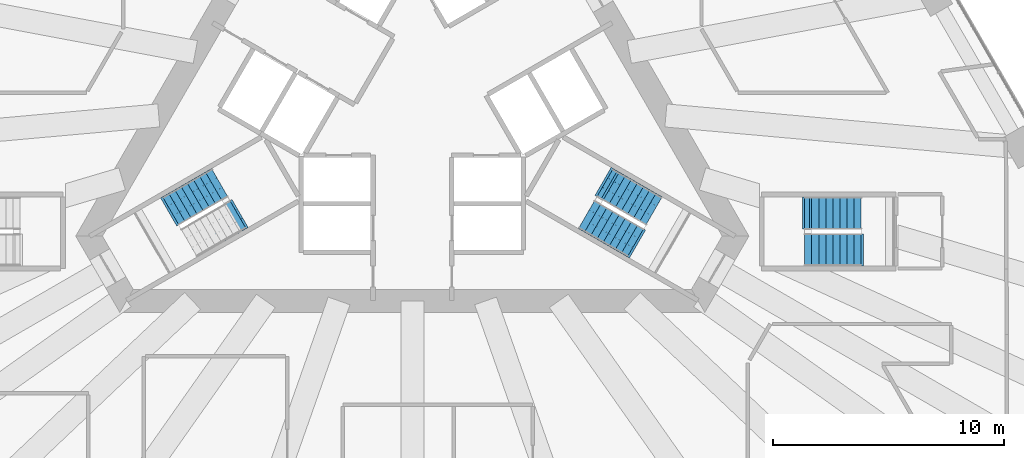
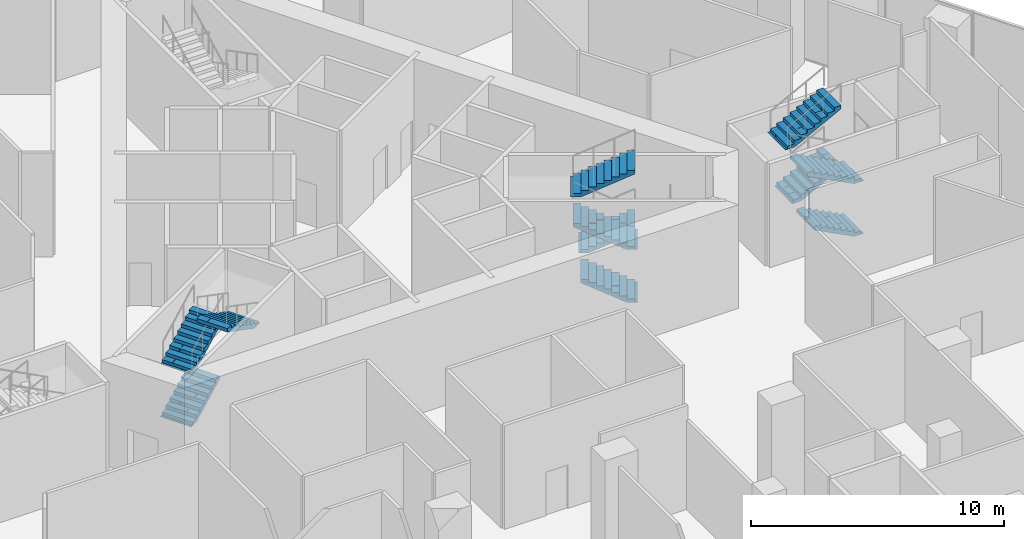
# One storey, part 26 of 29: 11 stair flights, 3 elements without a shape of their own.
"""IFC4 building model written with IfcOpenShell, lengths in metres."""

from ifc_helpers import new_model, si_unit, direction, frame, origin, place, context, subcontext, project, spatial, polyline, outline, extrude, material, type_object, element, aggregate, save


model = new_model("IFC4")

# Units and contexts
model_context = context("Model", 3, precision=1e-05, world=origin(), true_north=direction((0.0, 1.0)))
body_context = subcontext(model_context, "Body", "Model", "MODEL_VIEW")
ifc_project = project(units=[si_unit("LENGTHUNIT", "METRE"), si_unit("AREAUNIT", "SQUARE_METRE"), si_unit("VOLUMEUNIT", "CUBIC_METRE"), si_unit("PLANEANGLEUNIT", "RADIAN"), si_unit("MASSUNIT", "GRAM", prefix="KILO")], contexts=[model_context])

# Site, building, storey
site_placement = place(None, origin())
site = spatial("IfcSite", under=ifc_project, at=site_placement, CompositionType="ELEMENT")
building_placement = place(site_placement, origin())
building = spatial("IfcBuilding", under=site, at=building_placement, Name="Triada Interchange Tower", CompositionType="ELEMENT")
storey_placement = place(building_placement, frame((0.0, 0.0, 19.89990234375)))
storey = spatial("IfcBuildingStorey", under=building, at=storey_placement, Name="L03", CompositionType="ELEMENT", Elevation=19.89990234375)

# Stair, stair flights
ifc_material = material(Name="Concrete C35/45", Category="concrete")
stair_type = type_object("IfcStairType", Name="HALF TURN STAIR 1400", PredefinedType="HALF_TURN_STAIR", material=ifc_material)
stair_1_placement = place(storey_placement, origin())
stair_1 = element("IfcStair", 1, at=stair_1_placement, inside=storey, type_object=stair_type, Name="Exit stair S03-2", PredefinedType="HALF_TURN_STAIR")
stair_flight_type = type_object("IfcStairFlightType", Name="STRAIGHT STAIR FLIGHT 1400", PredefinedType="STRAIGHT", material=ifc_material)
stair_flight_1_placement = place(storey_placement, frame((-10.446044921875, -5.10693359375, 0.0), z_axis=(0.0, 0.0, 1.0), x_axis=(0.866025403784, 0.5, 0.0)))
stair_flight_1 = element("IfcStairFlight", 2, at=stair_flight_1_placement, type_object=stair_flight_type, Name="S03-2 flight 1", NumberOfRisers=8, NumberOfTreads=7, PredefinedType="STRAIGHT", RiserHeight=0.15882, TreadLength=0.305, context=body_context, shape_type="SweptSolid", body=[
    extrude(outline(polyline([(-0.10009765625, 0.0), (-0.10009765625, 0.02001953125), (0.0, 0.02001953125), (0.0, 0.158935546875), (0.304931640625, 0.158935546875), (0.304931640625, 0.317626953125), (0.610107421875, 0.317626953125), (0.610107421875, 0.4765625), (0.9150390625, 0.4765625), (0.9150390625, 0.63525390625), (1.219970703125, 0.63525390625), (1.219970703125, 0.794189453125), (1.52490234375, 0.794189453125), (1.52490234375, 0.952880859375), (1.830078125, 0.952880859375), (1.830078125, 1.11181640625), (2.135009765625, 1.11181640625), (2.138916015625, 1.11181640625), (2.138916015625, 1.2705078125), (2.138916015625, 0.942626953125), (0.324462890625, 0.0), (-0.10009765625, 0.0)])), frame((0.0, 0.699951171875, 0.0), z_axis=(0.0, -1.0, 0.0), x_axis=(1.0, 0.0, 0.0)), (0.0, 0.0, 1.0), 0.46533203125),
    extrude(outline(polyline([(-0.10009765625, 0.0), (-0.10009765625, 0.02001953125), (0.0, 0.02001953125), (0.0, 0.158935546875), (0.304931640625, 0.158935546875), (0.304931640625, 0.317626953125), (0.610107421875, 0.317626953125), (0.610107421875, 0.4765625), (0.9150390625, 0.4765625), (0.9150390625, 0.63525390625), (1.219970703125, 0.63525390625), (1.219970703125, 0.794189453125), (1.52490234375, 0.794189453125), (1.52490234375, 0.952880859375), (1.830078125, 0.952880859375), (1.830078125, 1.11181640625), (2.135009765625, 1.11181640625), (2.138916015625, 1.11181640625), (2.138916015625, 1.2705078125), (2.138916015625, 0.942626953125), (0.324462890625, 0.0), (-0.10009765625, 0.0)])), frame((0.0, 0.232666015625, 0.0), z_axis=(0.0, -1.0, 0.0), x_axis=(1.0, 0.0, 0.0)), (0.0, 0.0, 1.0), 0.46533203125),
    extrude(outline(polyline([(-0.10009765625, 0.0), (-0.10009765625, 0.02001953125), (0.0, 0.02001953125), (0.0, 0.158935546875), (0.304931640625, 0.158935546875), (0.304931640625, 0.317626953125), (0.610107421875, 0.317626953125), (0.610107421875, 0.4765625), (0.9150390625, 0.4765625), (0.9150390625, 0.63525390625), (1.219970703125, 0.63525390625), (1.219970703125, 0.794189453125), (1.52490234375, 0.794189453125), (1.52490234375, 0.952880859375), (1.830078125, 0.952880859375), (1.830078125, 1.11181640625), (2.135009765625, 1.11181640625), (2.138916015625, 1.11181640625), (2.138916015625, 1.2705078125), (2.138916015625, 0.942626953125), (0.324462890625, 0.0), (-0.10009765625, 0.0)])), frame((0.0, -0.234619140625, 0.0), z_axis=(0.0, -1.0, 0.0), x_axis=(1.0, 0.0, 0.0)), (0.0, 0.0, 1.0), 0.46533203125),
])
stair_flight_2_placement = place(storey_placement, frame((-10.446044921875, -5.10693359375, 2.541259765625), z_axis=(0.0, 0.0, 1.0), x_axis=(0.866025403784, 0.5, 0.0)))
stair_flight_2 = element("IfcStairFlight", 3, at=stair_flight_2_placement, type_object=stair_flight_type, Name="S03-2 flight 3", NumberOfRisers=9, NumberOfTreads=8, PredefinedType="STRAIGHT", RiserHeight=0.15882, TreadLength=0.305, context=body_context, shape_type="SweptSolid", body=[
    extrude(outline(polyline([(-0.10009765625, 0.0), (-0.10009765625, 0.02001953125), (0.0, 0.02001953125), (0.0, 0.158935546875), (0.304931640625, 0.158935546875), (0.304931640625, 0.317626953125), (0.610107421875, 0.317626953125), (0.610107421875, 0.4765625), (0.9150390625, 0.4765625), (0.9150390625, 0.63525390625), (1.219970703125, 0.63525390625), (1.219970703125, 0.794189453125), (1.52490234375, 0.794189453125), (1.52490234375, 0.952880859375), (1.830078125, 0.952880859375), (1.830078125, 1.11181640625), (2.135009765625, 1.11181640625), (2.135009765625, 1.2705078125), (2.43994140625, 1.2705078125), (2.444091796875, 1.2705078125), (2.444091796875, 1.429443359375), (2.444091796875, 1.1015625), (0.324462890625, 0.0), (-0.10009765625, 0.0)])), frame((0.0, 0.699951171875, 0.0), z_axis=(0.0, -1.0, 0.0), x_axis=(1.0, 0.0, 0.0)), (0.0, 0.0, 1.0), 0.46533203125),
    extrude(outline(polyline([(-0.10009765625, 0.0), (-0.10009765625, 0.02001953125), (0.0, 0.02001953125), (0.0, 0.158935546875), (0.304931640625, 0.158935546875), (0.304931640625, 0.317626953125), (0.610107421875, 0.317626953125), (0.610107421875, 0.4765625), (0.9150390625, 0.4765625), (0.9150390625, 0.63525390625), (1.219970703125, 0.63525390625), (1.219970703125, 0.794189453125), (1.52490234375, 0.794189453125), (1.52490234375, 0.952880859375), (1.830078125, 0.952880859375), (1.830078125, 1.11181640625), (2.135009765625, 1.11181640625), (2.135009765625, 1.2705078125), (2.43994140625, 1.2705078125), (2.444091796875, 1.2705078125), (2.444091796875, 1.429443359375), (2.444091796875, 1.1015625), (0.324462890625, 0.0), (-0.10009765625, 0.0)])), frame((0.0, 0.232666015625, 0.0), z_axis=(0.0, -1.0, 0.0), x_axis=(1.0, 0.0, 0.0)), (0.0, 0.0, 1.0), 0.46533203125),
    extrude(outline(polyline([(-0.10009765625, 0.0), (-0.10009765625, 0.02001953125), (0.0, 0.02001953125), (0.0, 0.158935546875), (0.304931640625, 0.158935546875), (0.304931640625, 0.317626953125), (0.610107421875, 0.317626953125), (0.610107421875, 0.4765625), (0.9150390625, 0.4765625), (0.9150390625, 0.63525390625), (1.219970703125, 0.63525390625), (1.219970703125, 0.794189453125), (1.52490234375, 0.794189453125), (1.52490234375, 0.952880859375), (1.830078125, 0.952880859375), (1.830078125, 1.11181640625), (2.135009765625, 1.11181640625), (2.135009765625, 1.2705078125), (2.43994140625, 1.2705078125), (2.444091796875, 1.2705078125), (2.444091796875, 1.429443359375), (2.444091796875, 1.1015625), (0.324462890625, 0.0), (-0.10009765625, 0.0)])), frame((0.0, -0.234619140625, 0.0), z_axis=(0.0, -1.0, 0.0), x_axis=(1.0, 0.0, 0.0)), (0.0, 0.0, 1.0), 0.46533203125),
])
stair_flight_3_placement = place(storey_placement, frame((-7.532958984375, -5.27294921875, 3.970703125), z_axis=(0.0, 0.0, 1.0), x_axis=(-0.866025403784, -0.5, 0.0)))
stair_flight_3 = element("IfcStairFlight", 4, at=stair_flight_3_placement, type_object=stair_flight_type, Name="S03-2 flight 4", NumberOfRisers=9, NumberOfTreads=8, PredefinedType="STRAIGHT", RiserHeight=0.15882, TreadLength=0.305, context=body_context, shape_type="SweptSolid", body=[
    extrude(outline(polyline([(-0.10009765625, 0.0), (-0.10009765625, 0.02001953125), (0.0, 0.02001953125), (0.0, 0.158935546875), (0.304931640625, 0.158935546875), (0.304931640625, 0.317626953125), (0.610107421875, 0.317626953125), (0.610107421875, 0.4765625), (0.9150390625, 0.4765625), (0.9150390625, 0.63525390625), (1.219970703125, 0.63525390625), (1.219970703125, 0.794189453125), (1.52490234375, 0.794189453125), (1.52490234375, 0.952880859375), (1.830078125, 0.952880859375), (1.830078125, 1.11181640625), (2.135009765625, 1.11181640625), (2.135009765625, 1.2705078125), (2.43994140625, 1.2705078125), (2.444091796875, 1.2705078125), (2.444091796875, 1.429443359375), (2.444091796875, 1.1015625), (0.324462890625, 0.0), (-0.10009765625, 0.0)])), frame((0.0, 0.699951171875, 0.0), z_axis=(0.0, -1.0, 0.0), x_axis=(1.0, 0.0, 0.0)), (0.0, 0.0, 1.0), 0.46533203125),
    extrude(outline(polyline([(-0.10009765625, 0.0), (-0.10009765625, 0.02001953125), (0.0, 0.02001953125), (0.0, 0.158935546875), (0.304931640625, 0.158935546875), (0.304931640625, 0.317626953125), (0.610107421875, 0.317626953125), (0.610107421875, 0.4765625), (0.9150390625, 0.4765625), (0.9150390625, 0.63525390625), (1.219970703125, 0.63525390625), (1.219970703125, 0.794189453125), (1.52490234375, 0.794189453125), (1.52490234375, 0.952880859375), (1.830078125, 0.952880859375), (1.830078125, 1.11181640625), (2.135009765625, 1.11181640625), (2.135009765625, 1.2705078125), (2.43994140625, 1.2705078125), (2.444091796875, 1.2705078125), (2.444091796875, 1.429443359375), (2.444091796875, 1.1015625), (0.324462890625, 0.0), (-0.10009765625, 0.0)])), frame((0.0, 0.232666015625, 0.0), z_axis=(0.0, -1.0, 0.0), x_axis=(1.0, 0.0, 0.0)), (0.0, 0.0, 1.0), 0.46533203125),
    extrude(outline(polyline([(-0.10009765625, 0.0), (-0.10009765625, 0.02001953125), (0.0, 0.02001953125), (0.0, 0.158935546875), (0.304931640625, 0.158935546875), (0.304931640625, 0.317626953125), (0.610107421875, 0.317626953125), (0.610107421875, 0.4765625), (0.9150390625, 0.4765625), (0.9150390625, 0.63525390625), (1.219970703125, 0.63525390625), (1.219970703125, 0.794189453125), (1.52490234375, 0.794189453125), (1.52490234375, 0.952880859375), (1.830078125, 0.952880859375), (1.830078125, 1.11181640625), (2.135009765625, 1.11181640625), (2.135009765625, 1.2705078125), (2.43994140625, 1.2705078125), (2.444091796875, 1.2705078125), (2.444091796875, 1.429443359375), (2.444091796875, 1.1015625), (0.324462890625, 0.0), (-0.10009765625, 0.0)])), frame((0.0, -0.234619140625, 0.0), z_axis=(0.0, -1.0, 0.0), x_axis=(1.0, 0.0, 0.0)), (0.0, 0.0, 1.0), 0.46533203125),
])
aggregate(stair_1, [stair_flight_1, stair_flight_2, stair_flight_3])

stair_2_placement = place(storey_placement, origin())
stair_2 = element("IfcStair", 5, at=stair_2_placement, inside=storey, type_object=stair_type, Name="Exit stair S03-3", PredefinedType="HALF_TURN_STAIR")
stair_flight_4_placement = place(storey_placement, frame((9.64599609375, -6.492919921875, 0.0), z_axis=(0.0, 0.0, 1.0), x_axis=(-0.866025403784, 0.5, 0.0)))
stair_flight_4 = element("IfcStairFlight", 6, at=stair_flight_4_placement, type_object=stair_flight_type, Name="S03-3 flight 1", NumberOfRisers=8, NumberOfTreads=7, PredefinedType="STRAIGHT", RiserHeight=0.15882, TreadLength=0.305, context=body_context, shape_type="SweptSolid", body=[
    extrude(outline(polyline([(-0.10009765625, 0.0), (-0.10009765625, 0.02001953125), (0.0, 0.02001953125), (0.0, 0.158935546875), (0.304931640625, 0.158935546875), (0.304931640625, 0.317626953125), (0.610107421875, 0.317626953125), (0.610107421875, 0.4765625), (0.9150390625, 0.4765625), (0.9150390625, 0.63525390625), (1.219970703125, 0.63525390625), (1.219970703125, 0.794189453125), (1.52490234375, 0.794189453125), (1.52490234375, 0.952880859375), (1.830078125, 0.952880859375), (1.830078125, 1.11181640625), (2.135009765625, 1.11181640625), (2.138916015625, 1.11181640625), (2.138916015625, 1.2705078125), (2.138916015625, 0.942626953125), (0.324462890625, 0.0), (-0.10009765625, 0.0)])), frame((0.0, 0.699951171875, 0.0), z_axis=(0.0, -1.0, 0.0), x_axis=(1.0, 0.0, 0.0)), (0.0, 0.0, 1.0), 0.46533203125),
    extrude(outline(polyline([(-0.10009765625, 0.0), (-0.10009765625, 0.02001953125), (0.0, 0.02001953125), (0.0, 0.158935546875), (0.304931640625, 0.158935546875), (0.304931640625, 0.317626953125), (0.610107421875, 0.317626953125), (0.610107421875, 0.4765625), (0.9150390625, 0.4765625), (0.9150390625, 0.63525390625), (1.219970703125, 0.63525390625), (1.219970703125, 0.794189453125), (1.52490234375, 0.794189453125), (1.52490234375, 0.952880859375), (1.830078125, 0.952880859375), (1.830078125, 1.11181640625), (2.135009765625, 1.11181640625), (2.138916015625, 1.11181640625), (2.138916015625, 1.2705078125), (2.138916015625, 0.942626953125), (0.324462890625, 0.0), (-0.10009765625, 0.0)])), frame((0.0, 0.232666015625, 0.0), z_axis=(0.0, -1.0, 0.0), x_axis=(1.0, 0.0, 0.0)), (0.0, 0.0, 1.0), 0.46533203125),
    extrude(outline(polyline([(-0.10009765625, 0.0), (-0.10009765625, 0.02001953125), (0.0, 0.02001953125), (0.0, 0.158935546875), (0.304931640625, 0.158935546875), (0.304931640625, 0.317626953125), (0.610107421875, 0.317626953125), (0.610107421875, 0.4765625), (0.9150390625, 0.4765625), (0.9150390625, 0.63525390625), (1.219970703125, 0.63525390625), (1.219970703125, 0.794189453125), (1.52490234375, 0.794189453125), (1.52490234375, 0.952880859375), (1.830078125, 0.952880859375), (1.830078125, 1.11181640625), (2.135009765625, 1.11181640625), (2.138916015625, 1.11181640625), (2.138916015625, 1.2705078125), (2.138916015625, 0.942626953125), (0.324462890625, 0.0), (-0.10009765625, 0.0)])), frame((0.0, -0.234619140625, 0.0), z_axis=(0.0, -1.0, 0.0), x_axis=(1.0, 0.0, 0.0)), (0.0, 0.0, 1.0), 0.46533203125),
])
stair_flight_5_placement = place(storey_placement, frame((8.596923828125, -4.0400390625, 1.270751953125), z_axis=(0.0, 0.0, 1.0), x_axis=(0.866025403784, -0.5, 0.0)))
stair_flight_5 = element("IfcStairFlight", 7, at=stair_flight_5_placement, type_object=stair_flight_type, Name="S03-3 flight 2", NumberOfRisers=8, NumberOfTreads=7, PredefinedType="STRAIGHT", RiserHeight=0.15882, TreadLength=0.305, context=body_context, shape_type="SweptSolid", body=[
    extrude(outline(polyline([(-0.10009765625, 0.0), (-0.10009765625, 0.02001953125), (0.0, 0.02001953125), (0.0, 0.158935546875), (0.304931640625, 0.158935546875), (0.304931640625, 0.317626953125), (0.610107421875, 0.317626953125), (0.610107421875, 0.4765625), (0.9150390625, 0.4765625), (0.9150390625, 0.63525390625), (1.219970703125, 0.63525390625), (1.219970703125, 0.794189453125), (1.52490234375, 0.794189453125), (1.52490234375, 0.952880859375), (1.830078125, 0.952880859375), (1.830078125, 1.11181640625), (2.135009765625, 1.11181640625), (2.138916015625, 1.11181640625), (2.138916015625, 1.2705078125), (2.138916015625, 0.942626953125), (0.324462890625, 0.0), (-0.10009765625, 0.0)])), frame((0.0, 0.699951171875, 0.0), z_axis=(0.0, -1.0, 0.0), x_axis=(1.0, 0.0, 0.0)), (0.0, 0.0, 1.0), 0.46533203125),
    extrude(outline(polyline([(-0.10009765625, 0.0), (-0.10009765625, 0.02001953125), (0.0, 0.02001953125), (0.0, 0.158935546875), (0.304931640625, 0.158935546875), (0.304931640625, 0.317626953125), (0.610107421875, 0.317626953125), (0.610107421875, 0.4765625), (0.9150390625, 0.4765625), (0.9150390625, 0.63525390625), (1.219970703125, 0.63525390625), (1.219970703125, 0.794189453125), (1.52490234375, 0.794189453125), (1.52490234375, 0.952880859375), (1.830078125, 0.952880859375), (1.830078125, 1.11181640625), (2.135009765625, 1.11181640625), (2.138916015625, 1.11181640625), (2.138916015625, 1.2705078125), (2.138916015625, 0.942626953125), (0.324462890625, 0.0), (-0.10009765625, 0.0)])), frame((0.0, 0.232666015625, 0.0), z_axis=(0.0, -1.0, 0.0), x_axis=(1.0, 0.0, 0.0)), (0.0, 0.0, 1.0), 0.46533203125),
    extrude(outline(polyline([(-0.10009765625, 0.0), (-0.10009765625, 0.02001953125), (0.0, 0.02001953125), (0.0, 0.158935546875), (0.304931640625, 0.158935546875), (0.304931640625, 0.317626953125), (0.610107421875, 0.317626953125), (0.610107421875, 0.4765625), (0.9150390625, 0.4765625), (0.9150390625, 0.63525390625), (1.219970703125, 0.63525390625), (1.219970703125, 0.794189453125), (1.52490234375, 0.794189453125), (1.52490234375, 0.952880859375), (1.830078125, 0.952880859375), (1.830078125, 1.11181640625), (2.135009765625, 1.11181640625), (2.138916015625, 1.11181640625), (2.138916015625, 1.2705078125), (2.138916015625, 0.942626953125), (0.324462890625, 0.0), (-0.10009765625, 0.0)])), frame((0.0, -0.234619140625, 0.0), z_axis=(0.0, -1.0, 0.0), x_axis=(1.0, 0.0, 0.0)), (0.0, 0.0, 1.0), 0.46533203125),
])
stair_flight_6_placement = place(storey_placement, frame((9.64599609375, -6.492919921875, 2.541259765625), z_axis=(0.0, 0.0, 1.0), x_axis=(-0.866025403784, 0.5, 0.0)))
stair_flight_6 = element("IfcStairFlight", 8, at=stair_flight_6_placement, type_object=stair_flight_type, Name="S03-3 flight 3", NumberOfRisers=9, NumberOfTreads=8, PredefinedType="STRAIGHT", RiserHeight=0.15882, TreadLength=0.305, context=body_context, shape_type="SweptSolid", body=[
    extrude(outline(polyline([(-0.10009765625, 0.0), (-0.10009765625, 0.02001953125), (0.0, 0.02001953125), (0.0, 0.158935546875), (0.304931640625, 0.158935546875), (0.304931640625, 0.317626953125), (0.610107421875, 0.317626953125), (0.610107421875, 0.4765625), (0.9150390625, 0.4765625), (0.9150390625, 0.63525390625), (1.219970703125, 0.63525390625), (1.219970703125, 0.794189453125), (1.52490234375, 0.794189453125), (1.52490234375, 0.952880859375), (1.830078125, 0.952880859375), (1.830078125, 1.11181640625), (2.135009765625, 1.11181640625), (2.135009765625, 1.2705078125), (2.43994140625, 1.2705078125), (2.444091796875, 1.2705078125), (2.444091796875, 1.429443359375), (2.444091796875, 1.1015625), (0.324462890625, 0.0), (-0.10009765625, 0.0)])), frame((0.0, 0.699951171875, 0.0), z_axis=(0.0, -1.0, 0.0), x_axis=(1.0, 0.0, 0.0)), (0.0, 0.0, 1.0), 0.46533203125),
    extrude(outline(polyline([(-0.10009765625, 0.0), (-0.10009765625, 0.02001953125), (0.0, 0.02001953125), (0.0, 0.158935546875), (0.304931640625, 0.158935546875), (0.304931640625, 0.317626953125), (0.610107421875, 0.317626953125), (0.610107421875, 0.4765625), (0.9150390625, 0.4765625), (0.9150390625, 0.63525390625), (1.219970703125, 0.63525390625), (1.219970703125, 0.794189453125), (1.52490234375, 0.794189453125), (1.52490234375, 0.952880859375), (1.830078125, 0.952880859375), (1.830078125, 1.11181640625), (2.135009765625, 1.11181640625), (2.135009765625, 1.2705078125), (2.43994140625, 1.2705078125), (2.444091796875, 1.2705078125), (2.444091796875, 1.429443359375), (2.444091796875, 1.1015625), (0.324462890625, 0.0), (-0.10009765625, 0.0)])), frame((0.0, 0.232666015625, 0.0), z_axis=(0.0, -1.0, 0.0), x_axis=(1.0, 0.0, 0.0)), (0.0, 0.0, 1.0), 0.46533203125),
    extrude(outline(polyline([(-0.10009765625, 0.0), (-0.10009765625, 0.02001953125), (0.0, 0.02001953125), (0.0, 0.158935546875), (0.304931640625, 0.158935546875), (0.304931640625, 0.317626953125), (0.610107421875, 0.317626953125), (0.610107421875, 0.4765625), (0.9150390625, 0.4765625), (0.9150390625, 0.63525390625), (1.219970703125, 0.63525390625), (1.219970703125, 0.794189453125), (1.52490234375, 0.794189453125), (1.52490234375, 0.952880859375), (1.830078125, 0.952880859375), (1.830078125, 1.11181640625), (2.135009765625, 1.11181640625), (2.135009765625, 1.2705078125), (2.43994140625, 1.2705078125), (2.444091796875, 1.2705078125), (2.444091796875, 1.429443359375), (2.444091796875, 1.1015625), (0.324462890625, 0.0), (-0.10009765625, 0.0)])), frame((0.0, -0.234619140625, 0.0), z_axis=(0.0, -1.0, 0.0), x_axis=(1.0, 0.0, 0.0)), (0.0, 0.0, 1.0), 0.46533203125),
])
stair_flight_7_placement = place(storey_placement, frame((8.3330078125, -3.886962890625, 3.970703125), z_axis=(0.0, 0.0, 1.0), x_axis=(0.866025403784, -0.5, 0.0)))
stair_flight_7 = element("IfcStairFlight", 9, at=stair_flight_7_placement, type_object=stair_flight_type, Name="S03-3 flight 4", NumberOfRisers=9, NumberOfTreads=8, PredefinedType="STRAIGHT", RiserHeight=0.15882, TreadLength=0.305, context=body_context, shape_type="SweptSolid", body=[
    extrude(outline(polyline([(-0.10009765625, 0.0), (-0.10009765625, 0.02001953125), (0.0, 0.02001953125), (0.0, 0.158935546875), (0.304931640625, 0.158935546875), (0.304931640625, 0.317626953125), (0.610107421875, 0.317626953125), (0.610107421875, 0.4765625), (0.9150390625, 0.4765625), (0.9150390625, 0.63525390625), (1.219970703125, 0.63525390625), (1.219970703125, 0.794189453125), (1.52490234375, 0.794189453125), (1.52490234375, 0.952880859375), (1.830078125, 0.952880859375), (1.830078125, 1.11181640625), (2.135009765625, 1.11181640625), (2.135009765625, 1.2705078125), (2.43994140625, 1.2705078125), (2.444091796875, 1.2705078125), (2.444091796875, 1.429443359375), (2.444091796875, 1.1015625), (0.324462890625, 0.0), (-0.10009765625, 0.0)])), frame((0.0, 0.699951171875, 0.0), z_axis=(0.0, -1.0, 0.0), x_axis=(1.0, 0.0, 0.0)), (0.0, 0.0, 1.0), 0.46533203125),
    extrude(outline(polyline([(-0.10009765625, 0.0), (-0.10009765625, 0.02001953125), (0.0, 0.02001953125), (0.0, 0.158935546875), (0.304931640625, 0.158935546875), (0.304931640625, 0.317626953125), (0.610107421875, 0.317626953125), (0.610107421875, 0.4765625), (0.9150390625, 0.4765625), (0.9150390625, 0.63525390625), (1.219970703125, 0.63525390625), (1.219970703125, 0.794189453125), (1.52490234375, 0.794189453125), (1.52490234375, 0.952880859375), (1.830078125, 0.952880859375), (1.830078125, 1.11181640625), (2.135009765625, 1.11181640625), (2.135009765625, 1.2705078125), (2.43994140625, 1.2705078125), (2.444091796875, 1.2705078125), (2.444091796875, 1.429443359375), (2.444091796875, 1.1015625), (0.324462890625, 0.0), (-0.10009765625, 0.0)])), frame((0.0, 0.232666015625, 0.0), z_axis=(0.0, -1.0, 0.0), x_axis=(1.0, 0.0, 0.0)), (0.0, 0.0, 1.0), 0.46533203125),
    extrude(outline(polyline([(-0.10009765625, 0.0), (-0.10009765625, 0.02001953125), (0.0, 0.02001953125), (0.0, 0.158935546875), (0.304931640625, 0.158935546875), (0.304931640625, 0.317626953125), (0.610107421875, 0.317626953125), (0.610107421875, 0.4765625), (0.9150390625, 0.4765625), (0.9150390625, 0.63525390625), (1.219970703125, 0.63525390625), (1.219970703125, 0.794189453125), (1.52490234375, 0.794189453125), (1.52490234375, 0.952880859375), (1.830078125, 0.952880859375), (1.830078125, 1.11181640625), (2.135009765625, 1.11181640625), (2.135009765625, 1.2705078125), (2.43994140625, 1.2705078125), (2.444091796875, 1.2705078125), (2.444091796875, 1.429443359375), (2.444091796875, 1.1015625), (0.324462890625, 0.0), (-0.10009765625, 0.0)])), frame((0.0, -0.234619140625, 0.0), z_axis=(0.0, -1.0, 0.0), x_axis=(1.0, 0.0, 0.0)), (0.0, 0.0, 1.0), 0.46533203125),
])
aggregate(stair_2, [stair_flight_4, stair_flight_5, stair_flight_6, stair_flight_7])

stair_3_placement = place(storey_placement, origin())
stair_3 = element("IfcStair", 10, at=stair_3_placement, inside=storey, type_object=stair_type, Name="Exit stair S03-7", PredefinedType="HALF_TURN_STAIR")
stair_flight_8_placement = place(storey_placement, frame((19.39990234375, -6.800048828125, 0.0), z_axis=(0.0, 0.0, 1.0), x_axis=(-1.0, 0.0, 0.0)))
stair_flight_8 = element("IfcStairFlight", 11, at=stair_flight_8_placement, type_object=stair_flight_type, Name="S03-7 flight 1", NumberOfRisers=8, NumberOfTreads=7, PredefinedType="STRAIGHT", RiserHeight=0.15882, TreadLength=0.305, context=body_context, shape_type="SweptSolid", body=[
    extrude(outline(polyline([(-0.10009765625, 0.0), (-0.10009765625, 0.02001953125), (0.0, 0.02001953125), (0.0, 0.158935546875), (0.304931640625, 0.158935546875), (0.304931640625, 0.317626953125), (0.610107421875, 0.317626953125), (0.610107421875, 0.4765625), (0.9150390625, 0.4765625), (0.9150390625, 0.63525390625), (1.219970703125, 0.63525390625), (1.219970703125, 0.794189453125), (1.52490234375, 0.794189453125), (1.52490234375, 0.952880859375), (1.830078125, 0.952880859375), (1.830078125, 1.11181640625), (2.135009765625, 1.11181640625), (2.138916015625, 1.11181640625), (2.138916015625, 1.2705078125), (2.138916015625, 0.942626953125), (0.324462890625, 0.0), (-0.10009765625, 0.0)])), frame((0.0, 0.699951171875, 0.0), z_axis=(0.0, -1.0, 0.0), x_axis=(1.0, 0.0, 0.0)), (0.0, 0.0, 1.0), 0.46533203125),
    extrude(outline(polyline([(-0.10009765625, 0.0), (-0.10009765625, 0.02001953125), (0.0, 0.02001953125), (0.0, 0.158935546875), (0.304931640625, 0.158935546875), (0.304931640625, 0.317626953125), (0.610107421875, 0.317626953125), (0.610107421875, 0.4765625), (0.9150390625, 0.4765625), (0.9150390625, 0.63525390625), (1.219970703125, 0.63525390625), (1.219970703125, 0.794189453125), (1.52490234375, 0.794189453125), (1.52490234375, 0.952880859375), (1.830078125, 0.952880859375), (1.830078125, 1.11181640625), (2.135009765625, 1.11181640625), (2.138916015625, 1.11181640625), (2.138916015625, 1.2705078125), (2.138916015625, 0.942626953125), (0.324462890625, 0.0), (-0.10009765625, 0.0)])), frame((0.0, 0.232666015625, 0.0), z_axis=(0.0, -1.0, 0.0), x_axis=(1.0, 0.0, 0.0)), (0.0, 0.0, 1.0), 0.46533203125),
    extrude(outline(polyline([(-0.10009765625, 0.0), (-0.10009765625, 0.02001953125), (0.0, 0.02001953125), (0.0, 0.158935546875), (0.304931640625, 0.158935546875), (0.304931640625, 0.317626953125), (0.610107421875, 0.317626953125), (0.610107421875, 0.4765625), (0.9150390625, 0.4765625), (0.9150390625, 0.63525390625), (1.219970703125, 0.63525390625), (1.219970703125, 0.794189453125), (1.52490234375, 0.794189453125), (1.52490234375, 0.952880859375), (1.830078125, 0.952880859375), (1.830078125, 1.11181640625), (2.135009765625, 1.11181640625), (2.138916015625, 1.11181640625), (2.138916015625, 1.2705078125), (2.138916015625, 0.942626953125), (0.324462890625, 0.0), (-0.10009765625, 0.0)])), frame((0.0, -0.234619140625, 0.0), z_axis=(0.0, -1.0, 0.0), x_axis=(1.0, 0.0, 0.0)), (0.0, 0.0, 1.0), 0.46533203125),
])
stair_flight_9_placement = place(storey_placement, frame((17.264892578125, -5.199951171875, 1.270751953125), z_axis=(0.0, 0.0, 1.0), x_axis=(1.0, 0.0, 0.0)))
stair_flight_9 = element("IfcStairFlight", 12, at=stair_flight_9_placement, type_object=stair_flight_type, Name="S03-7 flight 2", NumberOfRisers=8, NumberOfTreads=7, PredefinedType="STRAIGHT", RiserHeight=0.15882, TreadLength=0.305, context=body_context, shape_type="SweptSolid", body=[
    extrude(outline(polyline([(-0.10009765625, 0.0), (-0.10009765625, 0.02001953125), (0.0, 0.02001953125), (0.0, 0.158935546875), (0.304931640625, 0.158935546875), (0.304931640625, 0.317626953125), (0.610107421875, 0.317626953125), (0.610107421875, 0.4765625), (0.9150390625, 0.4765625), (0.9150390625, 0.63525390625), (1.219970703125, 0.63525390625), (1.219970703125, 0.794189453125), (1.52490234375, 0.794189453125), (1.52490234375, 0.952880859375), (1.830078125, 0.952880859375), (1.830078125, 1.11181640625), (2.135009765625, 1.11181640625), (2.138916015625, 1.11181640625), (2.138916015625, 1.2705078125), (2.138916015625, 0.942626953125), (0.324462890625, 0.0), (-0.10009765625, 0.0)])), frame((0.0, 0.699951171875, 0.0), z_axis=(0.0, -1.0, 0.0), x_axis=(1.0, 0.0, 0.0)), (0.0, 0.0, 1.0), 0.46533203125),
    extrude(outline(polyline([(-0.10009765625, 0.0), (-0.10009765625, 0.02001953125), (0.0, 0.02001953125), (0.0, 0.158935546875), (0.304931640625, 0.158935546875), (0.304931640625, 0.317626953125), (0.610107421875, 0.317626953125), (0.610107421875, 0.4765625), (0.9150390625, 0.4765625), (0.9150390625, 0.63525390625), (1.219970703125, 0.63525390625), (1.219970703125, 0.794189453125), (1.52490234375, 0.794189453125), (1.52490234375, 0.952880859375), (1.830078125, 0.952880859375), (1.830078125, 1.11181640625), (2.135009765625, 1.11181640625), (2.138916015625, 1.11181640625), (2.138916015625, 1.2705078125), (2.138916015625, 0.942626953125), (0.324462890625, 0.0), (-0.10009765625, 0.0)])), frame((0.0, 0.232666015625, 0.0), z_axis=(0.0, -1.0, 0.0), x_axis=(1.0, 0.0, 0.0)), (0.0, 0.0, 1.0), 0.46533203125),
    extrude(outline(polyline([(-0.10009765625, 0.0), (-0.10009765625, 0.02001953125), (0.0, 0.02001953125), (0.0, 0.158935546875), (0.304931640625, 0.158935546875), (0.304931640625, 0.317626953125), (0.610107421875, 0.317626953125), (0.610107421875, 0.4765625), (0.9150390625, 0.4765625), (0.9150390625, 0.63525390625), (1.219970703125, 0.63525390625), (1.219970703125, 0.794189453125), (1.52490234375, 0.794189453125), (1.52490234375, 0.952880859375), (1.830078125, 0.952880859375), (1.830078125, 1.11181640625), (2.135009765625, 1.11181640625), (2.138916015625, 1.11181640625), (2.138916015625, 1.2705078125), (2.138916015625, 0.942626953125), (0.324462890625, 0.0), (-0.10009765625, 0.0)])), frame((0.0, -0.234619140625, 0.0), z_axis=(0.0, -1.0, 0.0), x_axis=(1.0, 0.0, 0.0)), (0.0, 0.0, 1.0), 0.46533203125),
])
stair_flight_10_placement = place(storey_placement, frame((19.39990234375, -6.800048828125, 2.541259765625), z_axis=(0.0, 0.0, 1.0), x_axis=(-1.0, 0.0, 0.0)))
stair_flight_10 = element("IfcStairFlight", 13, at=stair_flight_10_placement, type_object=stair_flight_type, Name="S03-7 flight 3", NumberOfRisers=9, NumberOfTreads=8, PredefinedType="STRAIGHT", RiserHeight=0.15882, TreadLength=0.305, context=body_context, shape_type="SweptSolid", body=[
    extrude(outline(polyline([(-0.10009765625, 0.0), (-0.10009765625, 0.02001953125), (0.0, 0.02001953125), (0.0, 0.158935546875), (0.304931640625, 0.158935546875), (0.304931640625, 0.317626953125), (0.610107421875, 0.317626953125), (0.610107421875, 0.4765625), (0.9150390625, 0.4765625), (0.9150390625, 0.63525390625), (1.219970703125, 0.63525390625), (1.219970703125, 0.794189453125), (1.52490234375, 0.794189453125), (1.52490234375, 0.952880859375), (1.830078125, 0.952880859375), (1.830078125, 1.11181640625), (2.135009765625, 1.11181640625), (2.135009765625, 1.2705078125), (2.43994140625, 1.2705078125), (2.444091796875, 1.2705078125), (2.444091796875, 1.429443359375), (2.444091796875, 1.1015625), (0.324462890625, 0.0), (-0.10009765625, 0.0)])), frame((0.0, 0.699951171875, 0.0), z_axis=(0.0, -1.0, 0.0), x_axis=(1.0, 0.0, 0.0)), (0.0, 0.0, 1.0), 0.46533203125),
    extrude(outline(polyline([(-0.10009765625, 0.0), (-0.10009765625, 0.02001953125), (0.0, 0.02001953125), (0.0, 0.158935546875), (0.304931640625, 0.158935546875), (0.304931640625, 0.317626953125), (0.610107421875, 0.317626953125), (0.610107421875, 0.4765625), (0.9150390625, 0.4765625), (0.9150390625, 0.63525390625), (1.219970703125, 0.63525390625), (1.219970703125, 0.794189453125), (1.52490234375, 0.794189453125), (1.52490234375, 0.952880859375), (1.830078125, 0.952880859375), (1.830078125, 1.11181640625), (2.135009765625, 1.11181640625), (2.135009765625, 1.2705078125), (2.43994140625, 1.2705078125), (2.444091796875, 1.2705078125), (2.444091796875, 1.429443359375), (2.444091796875, 1.1015625), (0.324462890625, 0.0), (-0.10009765625, 0.0)])), frame((0.0, 0.232666015625, 0.0), z_axis=(0.0, -1.0, 0.0), x_axis=(1.0, 0.0, 0.0)), (0.0, 0.0, 1.0), 0.46533203125),
    extrude(outline(polyline([(-0.10009765625, 0.0), (-0.10009765625, 0.02001953125), (0.0, 0.02001953125), (0.0, 0.158935546875), (0.304931640625, 0.158935546875), (0.304931640625, 0.317626953125), (0.610107421875, 0.317626953125), (0.610107421875, 0.4765625), (0.9150390625, 0.4765625), (0.9150390625, 0.63525390625), (1.219970703125, 0.63525390625), (1.219970703125, 0.794189453125), (1.52490234375, 0.794189453125), (1.52490234375, 0.952880859375), (1.830078125, 0.952880859375), (1.830078125, 1.11181640625), (2.135009765625, 1.11181640625), (2.135009765625, 1.2705078125), (2.43994140625, 1.2705078125), (2.444091796875, 1.2705078125), (2.444091796875, 1.429443359375), (2.444091796875, 1.1015625), (0.324462890625, 0.0), (-0.10009765625, 0.0)])), frame((0.0, -0.234619140625, 0.0), z_axis=(0.0, -1.0, 0.0), x_axis=(1.0, 0.0, 0.0)), (0.0, 0.0, 1.0), 0.46533203125),
])
stair_flight_11_placement = place(storey_placement, frame((16.9599609375, -5.199951171875, 3.970703125), z_axis=(0.0, 0.0, 1.0), x_axis=(1.0, 0.0, 0.0)))
stair_flight_11 = element("IfcStairFlight", 14, at=stair_flight_11_placement, type_object=stair_flight_type, Name="S03-7 flight 4", NumberOfRisers=9, NumberOfTreads=8, PredefinedType="STRAIGHT", RiserHeight=0.15882, TreadLength=0.305, context=body_context, shape_type="SweptSolid", body=[
    extrude(outline(polyline([(-0.10009765625, 0.0), (-0.10009765625, 0.02001953125), (0.0, 0.02001953125), (0.0, 0.158935546875), (0.304931640625, 0.158935546875), (0.304931640625, 0.317626953125), (0.610107421875, 0.317626953125), (0.610107421875, 0.4765625), (0.9150390625, 0.4765625), (0.9150390625, 0.63525390625), (1.219970703125, 0.63525390625), (1.219970703125, 0.794189453125), (1.52490234375, 0.794189453125), (1.52490234375, 0.952880859375), (1.830078125, 0.952880859375), (1.830078125, 1.11181640625), (2.135009765625, 1.11181640625), (2.135009765625, 1.2705078125), (2.43994140625, 1.2705078125), (2.444091796875, 1.2705078125), (2.444091796875, 1.429443359375), (2.444091796875, 1.1015625), (0.324462890625, 0.0), (-0.10009765625, 0.0)])), frame((0.0, 0.699951171875, 0.0), z_axis=(0.0, -1.0, 0.0), x_axis=(1.0, 0.0, 0.0)), (0.0, 0.0, 1.0), 0.46533203125),
    extrude(outline(polyline([(-0.10009765625, 0.0), (-0.10009765625, 0.02001953125), (0.0, 0.02001953125), (0.0, 0.158935546875), (0.304931640625, 0.158935546875), (0.304931640625, 0.317626953125), (0.610107421875, 0.317626953125), (0.610107421875, 0.4765625), (0.9150390625, 0.4765625), (0.9150390625, 0.63525390625), (1.219970703125, 0.63525390625), (1.219970703125, 0.794189453125), (1.52490234375, 0.794189453125), (1.52490234375, 0.952880859375), (1.830078125, 0.952880859375), (1.830078125, 1.11181640625), (2.135009765625, 1.11181640625), (2.135009765625, 1.2705078125), (2.43994140625, 1.2705078125), (2.444091796875, 1.2705078125), (2.444091796875, 1.429443359375), (2.444091796875, 1.1015625), (0.324462890625, 0.0), (-0.10009765625, 0.0)])), frame((0.0, 0.232666015625, 0.0), z_axis=(0.0, -1.0, 0.0), x_axis=(1.0, 0.0, 0.0)), (0.0, 0.0, 1.0), 0.46533203125),
    extrude(outline(polyline([(-0.10009765625, 0.0), (-0.10009765625, 0.02001953125), (0.0, 0.02001953125), (0.0, 0.158935546875), (0.304931640625, 0.158935546875), (0.304931640625, 0.317626953125), (0.610107421875, 0.317626953125), (0.610107421875, 0.4765625), (0.9150390625, 0.4765625), (0.9150390625, 0.63525390625), (1.219970703125, 0.63525390625), (1.219970703125, 0.794189453125), (1.52490234375, 0.794189453125), (1.52490234375, 0.952880859375), (1.830078125, 0.952880859375), (1.830078125, 1.11181640625), (2.135009765625, 1.11181640625), (2.135009765625, 1.2705078125), (2.43994140625, 1.2705078125), (2.444091796875, 1.2705078125), (2.444091796875, 1.429443359375), (2.444091796875, 1.1015625), (0.324462890625, 0.0), (-0.10009765625, 0.0)])), frame((0.0, -0.234619140625, 0.0), z_axis=(0.0, -1.0, 0.0), x_axis=(1.0, 0.0, 0.0)), (0.0, 0.0, 1.0), 0.46533203125),
])
aggregate(stair_3, [stair_flight_8, stair_flight_9, stair_flight_10, stair_flight_11])

save(model, "model.ifc")
